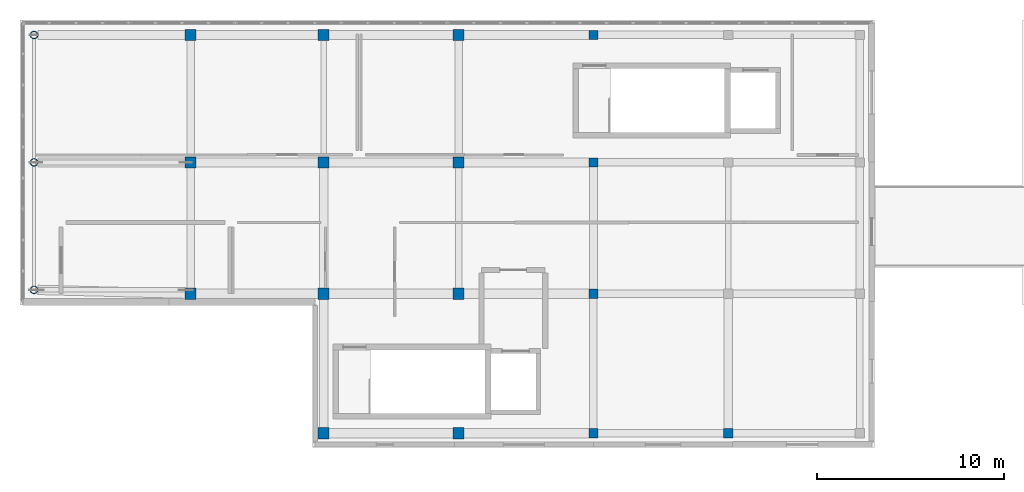
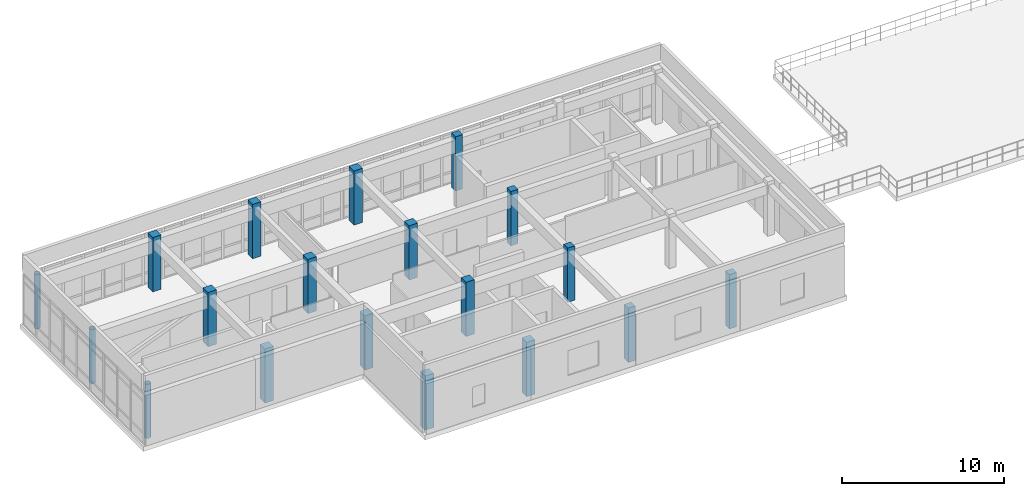
# One storey, part 1 of 14: 19 columns.
"""IFC4 building model written with IfcOpenShell, lengths in metres."""

from ifc_helpers import new_model, si_unit, direction, frame, origin, origin_2d, place, context, subcontext, project, spatial, rectangle, hollow_circle, extrude, material, material_profile, profile_set, type_object, element, save


model = new_model("IFC4")

# Units and contexts
model_context = context("Model", 3, precision=1e-05, world=origin(), true_north=direction((0.0, 1.0)))
body_context = subcontext(model_context, "Body", "Model", "MODEL_VIEW")
ifc_project = project(units=[si_unit("LENGTHUNIT", "METRE"), si_unit("AREAUNIT", "SQUARE_METRE"), si_unit("VOLUMEUNIT", "CUBIC_METRE"), si_unit("PLANEANGLEUNIT", "RADIAN"), si_unit("MASSUNIT", "GRAM", prefix="KILO")], contexts=[model_context])

# Site, building, storey
site_placement = place(None, origin())
site = spatial("IfcSite", under=ifc_project, at=site_placement, CompositionType="ELEMENT")
building_placement = place(site_placement, origin())
building = spatial("IfcBuilding", under=site, at=building_placement, Name="Valcora Specialist Clinic", CompositionType="ELEMENT")
storey_placement = place(building_placement, frame((0.0, 0.0, 21.760009765625)))
storey = spatial("IfcBuildingStorey", under=building, at=storey_placement, Name="L05", CompositionType="ELEMENT", Elevation=21.760009765625)

# Columns
ifc_material_1 = material(Name="Steel ASTM A500 Grade C", Category="steel")
ifc_material_profile_1 = material_profile(ifc_material_1, hollow_circle(Radius=0.202880859375, WallThickness=0.01611328125, at=origin_2d()), Name="ST-CHS-406X16")
ifc_profile_set_1 = profile_set([ifc_material_profile_1], Name="Steel ASTM A500 Grade C")
column_type_1 = type_object("IfcColumnType", Name="TY-COL-CHS406", PredefinedType="COLUMN", material=ifc_profile_set_1)
for number, where, z_axis, x_axis, name in (
    (1, (0.75, 8.39990234375, 0.0), (0.0, 0.0, 1.0), (1.0, 0.0, 0.0), "Column COL-L05-0542"),
    (2, (0.75, 15.199951171875, 0.0), (0.0, 0.0, 1.0), (1.0, 0.0, 0.0), "Column COL-L05-0549"),
    (3, (0.75, 22.0, 0.0), (0.0, 0.0, 1.0), (1.0, 0.0, 0.0), "Column COL-L05-0556"),
):
    element("IfcColumn", number, at=place(storey_placement, frame(where, z_axis=z_axis, x_axis=x_axis)), inside=storey, type_object=column_type_1, Name=name, PredefinedType="COLUMN", context=body_context, shape_type="SweptSolid", body=[
        extrude(hollow_circle(Radius=0.202880859375, WallThickness=0.01611328125, at=origin_2d()), origin(), (0.0, 0.0, 1.0), 4.080078125),
    ])
ifc_material_2 = material(Name="Concrete C40/50", Category="concrete")
ifc_material_profile_2 = material_profile(ifc_material_2, rectangle(XDim=0.5, YDim=0.5, at=origin_2d()), Name="RC-COL-500X500")
ifc_profile_set_2 = profile_set([ifc_material_profile_2], Name="Concrete C40/50")
column_type_2 = type_object("IfcColumnType", Name="TY-COL-RC500", PredefinedType="COLUMN", material=ifc_profile_set_2)
for number, where, z_axis, x_axis, name in (
    (4, (30.60009765625, 0.75, 0.0), (0.0, 0.0, 1.0), (1.0, 0.0, 0.0), "Column COL-L05-0640"),
    (5, (30.60009765625, 8.199951171875, 0.0), (0.0, 0.0, 1.0), (1.0, 0.0, 0.0), "Column COL-L05-0647"),
    (6, (30.60009765625, 15.199951171875, 0.0), (0.0, 0.0, 1.0), (1.0, 0.0, 0.0), "Column COL-L05-0654"),
    (7, (30.60009765625, 22.0, 0.0), (0.0, 0.0, 1.0), (1.0, 0.0, 0.0), "Column COL-L05-0661"),
    (8, (37.800048828125, 0.75, 0.0), (0.0, 0.0, 1.0), (1.0, 0.0, 0.0), "Column COL-L05-0668"),
):
    element("IfcColumn", number, at=place(storey_placement, frame(where, z_axis=z_axis, x_axis=x_axis)), inside=storey, type_object=column_type_2, Name=name, PredefinedType="COLUMN", context=body_context, shape_type="SweptSolid", body=[
        extrude(rectangle(XDim=0.5, YDim=0.5, at=origin_2d()), origin(), (0.0, 0.0, 1.0), 4.080078125),
    ])
ifc_material_profile_3 = material_profile(ifc_material_2, rectangle(XDim=0.60009765625, YDim=0.60009765625, at=origin_2d()), Name="RC-COL-600X600")
ifc_profile_set_3 = profile_set([ifc_material_profile_3], Name="Concrete C40/50")
column_type_3 = type_object("IfcColumnType", Name="TY-COL-RC600", PredefinedType="COLUMN", material=ifc_profile_set_3)
for number, where, z_axis, x_axis, name in (
    (9, (9.10009765625, 8.199951171875, 0.0), (0.0, 0.0, 1.0), (1.0, 0.0, 0.0), "Column COL-L05-0563"),
    (10, (9.10009765625, 15.199951171875, 0.0), (0.0, 0.0, 1.0), (1.0, 0.0, 0.0), "Column COL-L05-0570"),
    (11, (9.10009765625, 22.0, 0.0), (0.0, 0.0, 1.0), (1.0, 0.0, 0.0), "Column COL-L05-0577"),
    (12, (16.199951171875, 0.75, 0.0), (0.0, 0.0, 1.0), (1.0, 0.0, 0.0), "Column COL-L05-0584"),
    (13, (16.199951171875, 8.199951171875, 0.0), (0.0, 0.0, 1.0), (1.0, 0.0, 0.0), "Column COL-L05-0591"),
    (14, (16.199951171875, 15.199951171875, 0.0), (0.0, 0.0, 1.0), (1.0, 0.0, 0.0), "Column COL-L05-0598"),
    (15, (16.199951171875, 22.0, 0.0), (0.0, 0.0, 1.0), (1.0, 0.0, 0.0), "Column COL-L05-0605"),
    (16, (23.39990234375, 0.75, 0.0), (0.0, 0.0, 1.0), (1.0, 0.0, 0.0), "Column COL-L05-0612"),
    (17, (23.39990234375, 8.199951171875, 0.0), (0.0, 0.0, 1.0), (1.0, 0.0, 0.0), "Column COL-L05-0619"),
    (18, (23.39990234375, 15.199951171875, 0.0), (0.0, 0.0, 1.0), (1.0, 0.0, 0.0), "Column COL-L05-0626"),
    (19, (23.39990234375, 22.0, 0.0), (0.0, 0.0, 1.0), (1.0, 0.0, 0.0), "Column COL-L05-0633"),
):
    element("IfcColumn", number, at=place(storey_placement, frame(where, z_axis=z_axis, x_axis=x_axis)), inside=storey, type_object=column_type_3, Name=name, PredefinedType="COLUMN", context=body_context, shape_type="SweptSolid", body=[
        extrude(rectangle(XDim=0.60009765625, YDim=0.60009765625, at=origin_2d()), origin(), (0.0, 0.0, 1.0), 4.080078125),
    ])

save(model, "model.ifc")
